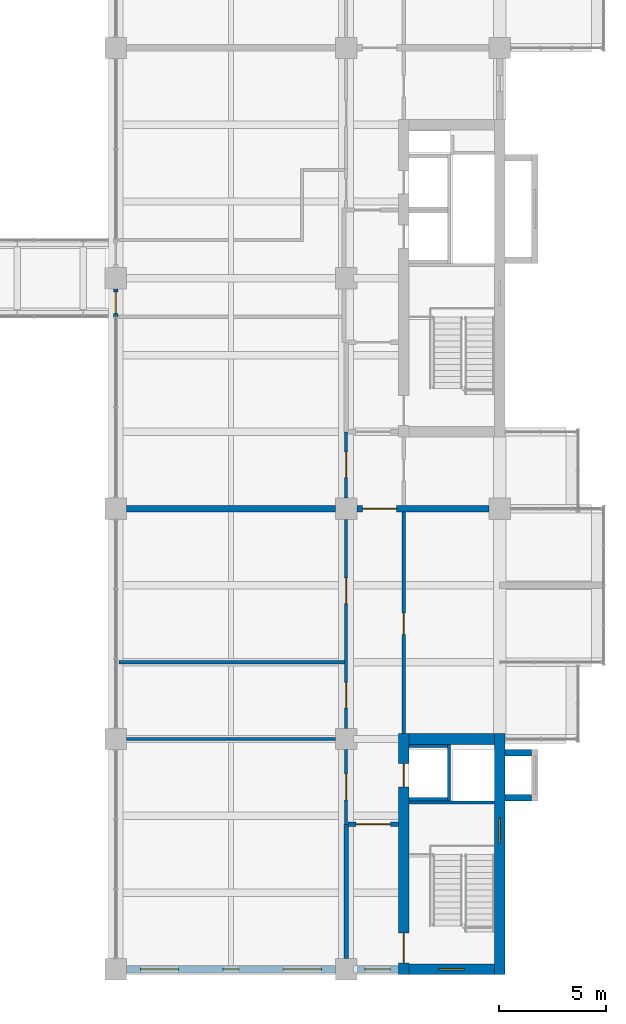
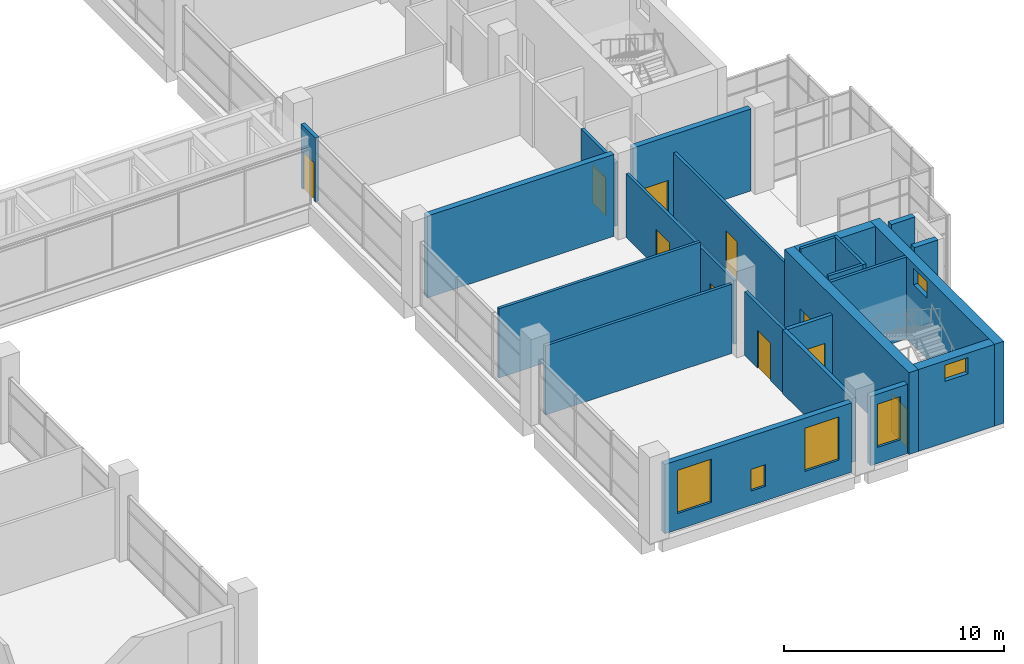
# One storey, part 27 of 35: 23 walls, 10 doors, 6 windows, 16 openings.
"""IFC4 building model written with IfcOpenShell, lengths in metres."""

from ifc_helpers import new_model, si_unit, direction, frame, frame_2d, origin, place, context, subcontext, project, spatial, rectangle, extrude, material, layer, layer_set, type_object, element, fill, save


model = new_model("IFC4")

# Units and contexts
model_context = context("Model", 3, precision=1e-05, world=origin(), true_north=direction((0.0, 1.0)))
body_context = subcontext(model_context, "Body", "Model", "MODEL_VIEW")
ifc_project = project(units=[si_unit("LENGTHUNIT", "METRE"), si_unit("AREAUNIT", "SQUARE_METRE"), si_unit("VOLUMEUNIT", "CUBIC_METRE"), si_unit("PLANEANGLEUNIT", "RADIAN"), si_unit("MASSUNIT", "GRAM", prefix="KILO")], contexts=[model_context])

# Site, building, storey
site_placement = place(None, origin())
site = spatial("IfcSite", under=ifc_project, at=site_placement, CompositionType="ELEMENT")
building_placement = place(site_placement, origin())
building = spatial("IfcBuilding", under=site, at=building_placement, Name="Basin Gate Institute", CompositionType="ELEMENT")
storey_placement = place(building_placement, frame((0.0, 0.0, 31.800048828125)))
storey = spatial("IfcBuildingStorey", under=building, at=storey_placement, Name="L06", CompositionType="ELEMENT", Elevation=31.800048828125)

# Wall, opening, door
ifc_material_1 = material(Name="Steel stud wall with gypsum board lining", Category="steel")
ifc_layer_1 = layer(ifc_material_1, 0.199951171875)
ifc_layer_set_1 = layer_set([ifc_layer_1], Name="Steel stud wall with gypsum board lining")
wall_type_1 = type_object("IfcWallType", Name="Bridge end wall W82 EI 60", PredefinedType="SOLIDWALL", material=ifc_layer_set_1)
wall_1_placement = place(storey_placement, frame((100.800048828125, 65.699951171875, 0.0), z_axis=(0.0, 0.0, 1.0), x_axis=(0.0, 1.0, 0.0)))
wall_1 = element("IfcWall", 1, at=wall_1_placement, inside=storey, type_object=wall_type_1, material=ifc_layer_set_1, Name="Bridge end wall R120 L06 E1", PredefinedType="SOLIDWALL", context=body_context, shape_type="SweptSolid", body=[
    extrude(rectangle(XDim=1.300048828125, YDim=0.199951171875, at=frame_2d((0.64990234375, 0.0))), origin(), (0.0, 0.0, 1.0), 3.550048828125),
])
opening_1_placement = place(wall_1_placement, frame((0.14990234375, 0.0, 0.0)))
opening_1 = element("IfcOpeningElement", 2, at=opening_1_placement, cuts=wall_1, Name="Opening D831", PredefinedType="OPENING", context=body_context, shape_type="SweptSolid", body=[
    extrude(rectangle(XDim=1.0, YDim=2.10009765625, at=frame_2d((0.5, 1.050048828125))), frame((0.0, 0.10986328125, 0.0), z_axis=(0.0, -1.0, 0.0), x_axis=(1.0, 0.0, 0.0)), (0.0, 0.0, 1.0), 0.219970703125),
])
ifc_material_2 = material(Name="Steel fire door leaf", Category="steel")
door_type_1 = type_object("IfcDoorType", Name="FD60 door 1000 bridge", OperationType="NOTDEFINED", PredefinedType="DOOR", material=ifc_material_2)
door_1_placement = place(opening_1_placement, frame((1.0, 0.0, 0.0), z_axis=(0.0, 0.0, 1.0), x_axis=(-1.0, 0.0, 0.0)))
door_1 = element("IfcDoor", 3, at=door_1_placement, inside=storey, type_object=door_type_1, material=ifc_material_2, Name="Bridge door L06 E1", OperationType="SINGLE_SWING_RIGHT", OverallHeight=2.10009765625, OverallWidth=1.0, PredefinedType="DOOR", context=body_context, shape_type="SweptSolid", body=[
    extrude(rectangle(XDim=1.0, YDim=2.10009765625, at=frame_2d((0.5, 1.050048828125))), frame((0.0, 0.02490234375, 0.0), z_axis=(0.0, -1.0, 0.0), x_axis=(1.0, 0.0, 0.0)), (0.0, 0.0, 1.0), 0.050048828125),
])
fill(opening_1, door_1)

ifc_material_3 = material(Name="Fire-rated masonry", Category="masonry")
ifc_layer_2 = layer(ifc_material_3, 0.199951171875)
ifc_layer_set_2 = layer_set([ifc_layer_2], Name="Enclosure wall PW2 200 EI 60")
wall_type_2 = type_object("IfcWallType", Name="Enclosure wall PW2 200 EI 60", PredefinedType="PARTITIONING", material=ifc_layer_set_2)
wall_2_placement = place(storey_placement, frame((114.050048828125, 41.89990234375, 0.0), z_axis=(0.0, 0.0, 1.0), x_axis=(-1.0, 0.0, 0.0)))
wall_2 = element("IfcWall", 4, at=wall_2_placement, inside=storey, type_object=wall_type_2, material=ifc_layer_set_2, Name="Smoke lobby enclosure wall PW2 L06", PredefinedType="PARTITIONING", context=body_context, shape_type="SweptSolid", body=[
    extrude(rectangle(XDim=2.35009765625, YDim=0.199951171875, at=frame_2d((1.175048828125, 0.0))), origin(), (0.0, 0.0, 1.0), 3.550048828125),
])
opening_2_placement = place(wall_2_placement, frame((0.375, 0.0, 0.0)))
opening_2 = element("IfcOpeningElement", 5, at=opening_2_placement, cuts=wall_2, Name="Opening DR296", PredefinedType="OPENING", context=body_context, shape_type="SweptSolid", body=[
    extrude(rectangle(XDim=1.60009765625, YDim=2.10009765625, at=frame_2d((0.800048828125, 1.050048828125))), frame((0.0, 0.10986328125, 0.0), z_axis=(0.0, -1.0, 0.0), x_axis=(1.0, 0.0, 0.0)), (0.0, 0.0, 1.0), 0.219970703125),
])
ifc_material_4 = material(Name="Steel fire door", Category="steel")
door_type_2 = type_object("IfcDoorType", Name="FD60 Smoke lobby door pair D8", OperationType="DOUBLE_DOOR_SINGLE_SWING", PredefinedType="DOOR", material=ifc_material_4)
door_2_placement = place(opening_2_placement, origin())
door_2 = element("IfcDoor", 6, at=door_2_placement, inside=storey, type_object=door_type_2, material=ifc_material_4, Name="Smoke lobby door SS4 L06", OperationType="DOUBLE_DOOR_SINGLE_SWING", OverallHeight=2.10009765625, OverallWidth=1.60009765625, PredefinedType="DOOR", context=body_context, shape_type="SweptSolid", body=[
    extrude(rectangle(XDim=1.60009765625, YDim=2.10009765625, at=frame_2d((0.800048828125, 1.050048828125))), frame((0.0, 0.02490234375, 0.0), z_axis=(0.0, -1.0, 0.0), x_axis=(1.0, 0.0, 0.0)), (0.0, 0.0, 1.0), 0.050048828125),
])
fill(opening_2, door_2)

# Wall
wall_3_placement = place(storey_placement, frame((111.60009765625, 35.60009765625, 0.0), z_axis=(0.0, 0.0, 1.0), x_axis=(0.0, 1.0, 0.0)))
element("IfcWall", 7, at=wall_3_placement, inside=storey, type_object=wall_type_2, material=ifc_layer_set_2, Name="Smoke lobby enclosure wall PW2 L06", PredefinedType="PARTITIONING", context=body_context, shape_type="SweptSolid", body=[
    extrude(rectangle(XDim=6.2998046875, YDim=0.199951171875, at=frame_2d((3.14990234375, 0.0))), origin(), (0.0, 0.0, 1.0), 3.550048828125),
])

# Wall, opening, window
ifc_material_5 = material(Name="Aluminium-faced insulated panel wall", Category="aluminium")
ifc_layer_3 = layer(ifc_material_5, 0.300048828125)
ifc_layer_set_3 = layer_set([ifc_layer_3], Name="External wall EW1 EI 120")
wall_type_3 = type_object("IfcWallType", Name="External wall EW1 EI 120", PredefinedType="STANDARD", material=ifc_layer_set_3)
wall_4_placement = place(storey_placement, frame((114.050048828125, 35.10009765625, 0.0), z_axis=(0.0, 0.0, 1.0), x_axis=(-1.0, 0.0, 0.0)))
wall_4 = element("IfcWall", 8, at=wall_4_placement, inside=storey, type_object=wall_type_3, material=ifc_layer_set_3, Name="External end wall E wing south L06 1", PredefinedType="STANDARD", context=body_context, shape_type="SweptSolid", body=[
    extrude(rectangle(XDim=1.949951171875, YDim=0.300048828125, at=frame_2d((0.97509765625, 0.0))), origin(), (0.0, 0.0, 1.0), 3.849853515625),
])
opening_3_placement = place(wall_4_placement, frame((0.375, 0.0, 0.89990234375)))
opening_3 = element("IfcOpeningElement", 9, at=opening_3_placement, cuts=wall_4, Name="Opening WN4", PredefinedType="OPENING", context=body_context, shape_type="SweptSolid", body=[
    extrude(rectangle(XDim=1.199951171875, YDim=2.39990234375, at=frame_2d((0.60009765625, 1.199951171875))), frame((0.0, 0.16015625, 0.0), z_axis=(0.0, -1.0, 0.0), x_axis=(1.0, 0.0, 0.0)), (0.0, 0.0, 1.0), 0.320068359375),
])
ifc_material_6 = material(Name="Aluminium-framed double glazing", Category="aluminium")
window_type_1 = type_object("IfcWindowType", Name="Corridor end window WN4", PartitioningType="SINGLE_PANEL", PredefinedType="WINDOW", material=ifc_material_6)
window_1_placement = place(opening_3_placement, origin())
window_1 = element("IfcWindow", 10, at=window_1_placement, inside=storey, type_object=window_type_1, material=ifc_material_6, Name="Corridor end window E wing S L06", OverallHeight=2.39990234375, OverallWidth=1.199951171875, PartitioningType="SINGLE_PANEL", PredefinedType="WINDOW", context=body_context, shape_type="SweptSolid", body=[
    extrude(rectangle(XDim=1.199951171875, YDim=2.39990234375, at=frame_2d((0.60009765625, 1.199951171875))), frame((0.0, 0.030029296875, 0.0), z_axis=(0.0, -1.0, 0.0), x_axis=(1.0, 0.0, 0.0)), (0.0, 0.0, 1.0), 0.06005859375),
])
fill(opening_3, window_1)

# Wall, openings, windows
wall_5_placement = place(storey_placement, frame((111.10009765625, 35.10009765625, 0.0), z_axis=(0.0, 0.0, 1.0), x_axis=(-1.0, 0.0, 0.0)))
wall_5 = element("IfcWall", 11, at=wall_5_placement, inside=storey, type_object=wall_type_3, material=ifc_layer_set_3, Name="External end wall E wing south L06 2", PredefinedType="STANDARD", context=body_context, shape_type="SweptSolid", body=[
    extrude(rectangle(XDim=9.800048828125, YDim=0.300048828125, at=frame_2d((4.89990234375, 0.0))), origin(), (0.0, 0.0, 1.0), 3.849853515625),
])
opening_4_placement = place(wall_5_placement, frame((0.64990234375, 0.0, 0.89990234375)))
opening_4 = element("IfcOpeningElement", 12, at=opening_4_placement, cuts=wall_5, Name="Opening WN1", PredefinedType="OPENING", context=body_context, shape_type="SweptSolid", body=[
    extrude(rectangle(XDim=1.800048828125, YDim=2.39990234375, at=frame_2d((0.89990234375, 1.199951171875))), frame((0.0, 0.16015625, 0.0), z_axis=(0.0, -1.0, 0.0), x_axis=(1.0, 0.0, 0.0)), (0.0, 0.0, 1.0), 0.320068359375),
])
opening_5_placement = place(wall_5_placement, frame((4.52490234375, 0.0, 0.800048828125)))
opening_5 = element("IfcOpeningElement", 13, at=opening_5_placement, cuts=wall_5, Name="Opening WN3", PredefinedType="OPENING", context=body_context, shape_type="SweptSolid", body=[
    extrude(rectangle(XDim=0.75, YDim=1.199951171875, at=frame_2d((0.375, 0.60009765625))), frame((0.0, 0.16015625, 0.0), z_axis=(0.0, -1.0, 0.0), x_axis=(1.0, 0.0, 0.0)), (0.0, 0.0, 1.0), 0.320068359375),
])
opening_6_placement = place(wall_5_placement, frame((7.35009765625, 0.0, 0.89990234375)))
opening_6 = element("IfcOpeningElement", 14, at=opening_6_placement, cuts=wall_5, Name="Opening WN1", PredefinedType="OPENING", context=body_context, shape_type="SweptSolid", body=[
    extrude(rectangle(XDim=1.800048828125, YDim=2.39990234375, at=frame_2d((0.89990234375, 1.199951171875))), frame((0.0, 0.16015625, 0.0), z_axis=(0.0, -1.0, 0.0), x_axis=(1.0, 0.0, 0.0)), (0.0, 0.0, 1.0), 0.320068359375),
])
ifc_material_7 = material(Name="Aluminium-framed double glazing", Category="aluminium")
window_type_2 = type_object("IfcWindowType", Name="Emergency entry panel WN3", PartitioningType="SINGLE_PANEL", PredefinedType="WINDOW", material=ifc_material_7)
window_2_placement = place(opening_5_placement, origin())
window_2 = element("IfcWindow", 15, at=window_2_placement, inside=storey, type_object=window_type_2, material=ifc_material_7, Name="Emergency entry panel E wing end S L06 bay 2", OverallHeight=1.199951171875, OverallWidth=0.75, PartitioningType="SINGLE_PANEL", PredefinedType="WINDOW", context=body_context, shape_type="SweptSolid", body=[
    extrude(rectangle(XDim=0.75, YDim=1.199951171875, at=frame_2d((0.375, 0.60009765625))), frame((0.0, 0.030029296875, 0.0), z_axis=(0.0, -1.0, 0.0), x_axis=(1.0, 0.0, 0.0)), (0.0, 0.0, 1.0), 0.06005859375),
])
fill(opening_5, window_2)
ifc_material_8 = material(Name="Aluminium-framed double glazing", Category="aluminium")
window_type_3 = type_object("IfcWindowType", Name="Facade window WN1", PartitioningType="SINGLE_PANEL", PredefinedType="WINDOW", material=ifc_material_8)
window_3_placement = place(opening_4_placement, origin())
window_3 = element("IfcWindow", 16, at=window_3_placement, inside=storey, type_object=window_type_3, material=ifc_material_8, Name="Facade window E wing end S L06 bay 1", OverallHeight=2.39990234375, OverallWidth=1.800048828125, PartitioningType="SINGLE_PANEL", PredefinedType="WINDOW", context=body_context, shape_type="SweptSolid", body=[
    extrude(rectangle(XDim=1.800048828125, YDim=2.39990234375, at=frame_2d((0.89990234375, 1.199951171875))), frame((0.0, 0.030029296875, 0.0), z_axis=(0.0, -1.0, 0.0), x_axis=(1.0, 0.0, 0.0)), (0.0, 0.0, 1.0), 0.06005859375),
])
fill(opening_4, window_3)
window_4_placement = place(opening_6_placement, origin())
window_4 = element("IfcWindow", 17, at=window_4_placement, inside=storey, type_object=window_type_3, material=ifc_material_8, Name="Facade window E wing end S L06 bay 3", OverallHeight=2.39990234375, OverallWidth=1.800048828125, PartitioningType="SINGLE_PANEL", PredefinedType="WINDOW", context=body_context, shape_type="SweptSolid", body=[
    extrude(rectangle(XDim=1.800048828125, YDim=2.39990234375, at=frame_2d((0.89990234375, 1.199951171875))), frame((0.0, 0.030029296875, 0.0), z_axis=(0.0, -1.0, 0.0), x_axis=(1.0, 0.0, 0.0)), (0.0, 0.0, 1.0), 0.06005859375),
])
fill(opening_6, window_4)

# Wall, opening, door
ifc_material_9 = material(Name="Gypsum board on steel stud", Category="steel")
ifc_layer_4 = layer(ifc_material_9, 0.14990234375)
ifc_layer_set_4 = layer_set([ifc_layer_4], Name="Gypsum board on steel stud")
wall_type_4 = type_object("IfcWallType", Name="Partition PW1 150 EI 60", PredefinedType="PARTITIONING", material=ifc_layer_set_4)
wall_6_placement = place(storey_placement, frame((114.300048828125, 46.14990234375, 0.0), z_axis=(0.0, 0.0, 1.0), x_axis=(0.0, 1.0, 0.0)))
wall_6 = element("IfcWall", 18, at=wall_6_placement, inside=storey, type_object=wall_type_4, material=ifc_layer_set_4, Name="Corridor wall PW1 L06", PredefinedType="PARTITIONING", context=body_context, shape_type="SweptSolid", body=[
    extrude(rectangle(XDim=10.400146484375, YDim=0.14990234375, at=frame_2d((5.2001953125, 0.0))), origin(), (0.0, 0.0, 1.0), 3.550048828125),
])
opening_7_placement = place(wall_6_placement, frame((4.64990234375, 0.0, 0.0)))
opening_7 = element("IfcOpeningElement", 19, at=opening_7_placement, cuts=wall_6, Name="Opening DR283", PredefinedType="OPENING", context=body_context, shape_type="SweptSolid", body=[
    extrude(rectangle(XDim=1.0, YDim=2.10009765625, at=frame_2d((0.5, 1.050048828125))), frame((0.0, 0.0849609375, 0.0), z_axis=(0.0, -1.0, 0.0), x_axis=(1.0, 0.0, 0.0)), (0.0, 0.0, 1.0), 0.169921875),
])
ifc_material_10 = material(Name="Timber fire door", Category="wood")
door_type_3 = type_object("IfcDoorType", Name="FD30 Office door D1", OperationType="NOTDEFINED", PredefinedType="DOOR", material=ifc_material_10)
door_3_placement = place(opening_7_placement, frame((1.0, 0.0, 0.0), z_axis=(0.0, 0.0, 1.0), x_axis=(-1.0, 0.0, 0.0)))
door_3 = element("IfcDoor", 20, at=door_3_placement, inside=storey, type_object=door_type_3, material=ifc_material_10, Name="Door to Library Carrel Room 0651 L06", OperationType="SINGLE_SWING_RIGHT", OverallHeight=2.10009765625, OverallWidth=1.0, PredefinedType="DOOR", context=body_context, shape_type="SweptSolid", body=[
    extrude(rectangle(XDim=1.0, YDim=2.10009765625, at=frame_2d((0.5, 1.050048828125))), frame((0.0, 0.02490234375, 0.0), z_axis=(0.0, -1.0, 0.0), x_axis=(1.0, 0.0, 0.0)), (0.0, 0.0, 1.0), 0.050048828125),
])
fill(opening_7, door_3)

wall_7_placement = place(storey_placement, frame((111.60009765625, 41.89990234375, 0.0), z_axis=(0.0, 0.0, 1.0), x_axis=(0.0, 1.0, 0.0)))
wall_7 = element("IfcWall", 21, at=wall_7_placement, inside=storey, type_object=wall_type_4, material=ifc_layer_set_4, Name="Laboratory corridor wall PW1 L06", PredefinedType="PARTITIONING", context=body_context, shape_type="SweptSolid", body=[
    extrude(rectangle(XDim=3.5, YDim=0.14990234375, at=frame_2d((1.75, 0.0))), origin(), (0.0, 0.0, 1.0), 3.550048828125),
])
opening_8_placement = place(wall_7_placement, frame((1.14990234375, 0.0, 0.0)))
opening_8 = element("IfcOpeningElement", 22, at=opening_8_placement, cuts=wall_7, Name="Opening DR287", PredefinedType="OPENING", context=body_context, shape_type="SweptSolid", body=[
    extrude(rectangle(XDim=1.199951171875, YDim=2.10009765625, at=frame_2d((0.60009765625, 1.050048828125))), frame((0.0, 0.0849609375, 0.0), z_axis=(0.0, -1.0, 0.0), x_axis=(1.0, 0.0, 0.0)), (0.0, 0.0, 1.0), 0.169921875),
])
ifc_material_11 = material(Name="Timber fire door", Category="wood")
door_type_4 = type_object("IfcDoorType", Name="FD30 Laboratory door D2", OperationType="DOUBLE_DOOR_SINGLE_SWING", PredefinedType="DOOR", material=ifc_material_11)
door_4_placement = place(opening_8_placement, origin())
door_4 = element("IfcDoor", 23, at=door_4_placement, inside=storey, type_object=door_type_4, material=ifc_material_11, Name="Door to Write-up Office 0664 L06", OperationType="DOUBLE_DOOR_SINGLE_SWING", OverallHeight=2.10009765625, OverallWidth=1.199951171875, PredefinedType="DOOR", context=body_context, shape_type="SweptSolid", body=[
    extrude(rectangle(XDim=1.199951171875, YDim=2.10009765625, at=frame_2d((0.60009765625, 1.050048828125))), frame((0.0, 0.02490234375, 0.0), z_axis=(0.0, -1.0, 0.0), x_axis=(1.0, 0.0, 0.0)), (0.0, 0.0, 1.0), 0.050048828125),
])
fill(opening_8, door_4)

# Wall, openings, doors
wall_8_placement = place(storey_placement, frame((111.60009765625, 46.39990234375, 0.0), z_axis=(0.0, 0.0, 1.0), x_axis=(0.0, 1.0, 0.0)))
wall_8 = element("IfcWall", 24, at=wall_8_placement, inside=storey, type_object=wall_type_4, material=ifc_layer_set_4, Name="Laboratory corridor wall PW1 L06", PredefinedType="PARTITIONING", context=body_context, shape_type="SweptSolid", body=[
    extrude(rectangle(XDim=9.800048828125, YDim=0.14990234375, at=frame_2d((4.89990234375, 0.0))), origin(), (0.0, 0.0, 1.0), 3.550048828125),
])
opening_9_placement = place(wall_8_placement, frame((0.949951171875, 0.0, 0.0)))
opening_9 = element("IfcOpeningElement", 25, at=opening_9_placement, cuts=wall_8, Name="Opening DR288", PredefinedType="OPENING", context=body_context, shape_type="SweptSolid", body=[
    extrude(rectangle(XDim=1.199951171875, YDim=2.10009765625, at=frame_2d((0.60009765625, 1.050048828125))), frame((0.0, 0.0849609375, 0.0), z_axis=(0.0, -1.0, 0.0), x_axis=(1.0, 0.0, 0.0)), (0.0, 0.0, 1.0), 0.169921875),
])
opening_10_placement = place(wall_8_placement, frame((5.85009765625, 0.0, 0.0)))
opening_10 = element("IfcOpeningElement", 26, at=opening_10_placement, cuts=wall_8, Name="Opening DR289", PredefinedType="OPENING", context=body_context, shape_type="SweptSolid", body=[
    extrude(rectangle(XDim=1.199951171875, YDim=2.10009765625, at=frame_2d((0.60009765625, 1.050048828125))), frame((0.0, 0.0849609375, 0.0), z_axis=(0.0, -1.0, 0.0), x_axis=(1.0, 0.0, 0.0)), (0.0, 0.0, 1.0), 0.169921875),
])
door_5_placement = place(opening_9_placement, origin())
door_5 = element("IfcDoor", 27, at=door_5_placement, inside=storey, type_object=door_type_4, material=ifc_material_11, Name="Door to Write-up Office 0665 L06", OperationType="DOUBLE_DOOR_SINGLE_SWING", OverallHeight=2.10009765625, OverallWidth=1.199951171875, PredefinedType="DOOR", context=body_context, shape_type="SweptSolid", body=[
    extrude(rectangle(XDim=1.199951171875, YDim=2.10009765625, at=frame_2d((0.60009765625, 1.050048828125))), frame((0.0, 0.02490234375, 0.0), z_axis=(0.0, -1.0, 0.0), x_axis=(1.0, 0.0, 0.0)), (0.0, 0.0, 1.0), 0.050048828125),
])
fill(opening_9, door_5)
door_6_placement = place(opening_10_placement, origin())
door_6 = element("IfcDoor", 28, at=door_6_placement, inside=storey, type_object=door_type_4, material=ifc_material_11, Name="Door to Write-up Office 0666 L06", OperationType="DOUBLE_DOOR_SINGLE_SWING", OverallHeight=2.10009765625, OverallWidth=1.199951171875, PredefinedType="DOOR", context=body_context, shape_type="SweptSolid", body=[
    extrude(rectangle(XDim=1.199951171875, YDim=2.10009765625, at=frame_2d((0.60009765625, 1.050048828125))), frame((0.0, 0.02490234375, 0.0), z_axis=(0.0, -1.0, 0.0), x_axis=(1.0, 0.0, 0.0)), (0.0, 0.0, 1.0), 0.050048828125),
])
fill(opening_10, door_6)

# Wall, opening, door
wall_9_placement = place(storey_placement, frame((111.60009765625, 57.199951171875, 0.0), z_axis=(0.0, 0.0, 1.0), x_axis=(0.0, 1.0, 0.0)))
wall_9 = element("IfcWall", 29, at=wall_9_placement, inside=storey, type_object=wall_type_4, material=ifc_layer_set_4, Name="Laboratory corridor wall PW1 L06", PredefinedType="PARTITIONING", context=body_context, shape_type="SweptSolid", body=[
    extrude(rectangle(XDim=3.10009765625, YDim=0.14990234375, at=frame_2d((1.550048828125, 0.0))), origin(), (0.0, 0.0, 1.0), 3.550048828125),
])
opening_11_placement = place(wall_9_placement, frame((0.949951171875, 0.0, 0.0)))
opening_11 = element("IfcOpeningElement", 30, at=opening_11_placement, cuts=wall_9, Name="Opening DR290", PredefinedType="OPENING", context=body_context, shape_type="SweptSolid", body=[
    extrude(rectangle(XDim=1.199951171875, YDim=2.10009765625, at=frame_2d((0.60009765625, 1.050048828125))), frame((0.0, 0.0849609375, 0.0), z_axis=(0.0, -1.0, 0.0), x_axis=(1.0, 0.0, 0.0)), (0.0, 0.0, 1.0), 0.169921875),
])
door_7_placement = place(opening_11_placement, origin())
door_7 = element("IfcDoor", 31, at=door_7_placement, inside=storey, type_object=door_type_4, material=ifc_material_11, Name="Door to Write-up Office 0667 L06", OperationType="DOUBLE_DOOR_SINGLE_SWING", OverallHeight=2.10009765625, OverallWidth=1.199951171875, PredefinedType="DOOR", context=body_context, shape_type="SweptSolid", body=[
    extrude(rectangle(XDim=1.199951171875, YDim=2.10009765625, at=frame_2d((0.60009765625, 1.050048828125))), frame((0.0, 0.02490234375, 0.0), z_axis=(0.0, -1.0, 0.0), x_axis=(1.0, 0.0, 0.0)), (0.0, 0.0, 1.0), 0.050048828125),
])
fill(opening_11, door_7)

# Walls
wall_10_placement = place(storey_placement, frame((111.10009765625, 45.89990234375, 0.0), z_axis=(0.0, 0.0, 1.0), x_axis=(-1.0, 0.0, 0.0)))
element("IfcWall", 32, at=wall_10_placement, inside=storey, type_object=wall_type_4, material=ifc_layer_set_4, Name="Laboratory partition PW1 L06", PredefinedType="PARTITIONING", context=body_context, shape_type="SweptSolid", body=[
    extrude(rectangle(XDim=9.800048828125, YDim=0.14990234375, at=frame_2d((4.89990234375, 0.0))), origin(), (0.0, 0.0, 1.0), 3.849853515625),
])
wall_11_placement = place(storey_placement, frame((111.52490234375, 49.5, 0.0), z_axis=(0.0, 0.0, 1.0), x_axis=(-1.0, 0.0, 0.0)))
element("IfcWall", 33, at=wall_11_placement, inside=storey, type_object=wall_type_4, material=ifc_layer_set_4, Name="Laboratory partition PW1 L06", PredefinedType="PARTITIONING", context=body_context, shape_type="SweptSolid", body=[
    extrude(rectangle(XDim=10.574951171875, YDim=0.14990234375, at=frame_2d((5.28759765625, 0.0))), origin(), (0.0, 0.0, 1.0), 3.849853515625),
])
ifc_material_12 = material(Name="Concrete 40 MPa", Category="concrete")
ifc_layer_5 = layer(ifc_material_12, 0.14990234375)
ifc_layer_set_5 = layer_set([ifc_layer_5], Name="Concrete 40 MPa")
wall_type_5 = type_object("IfcWallType", Name="Wall LS1 lift shaft enclosure R120", PredefinedType="SOLIDWALL", material=ifc_layer_set_5)
wall_12_placement = place(storey_placement, frame((116.425048828125, 43.0, 0.0), z_axis=(0.0, 0.0, 1.0), x_axis=(0.0, 1.0, 0.0)))
element("IfcWall", 34, at=wall_12_placement, inside=storey, type_object=wall_type_5, material=ifc_layer_set_5, Name="Lift shaft enclosure LP4 L06 UL", PredefinedType="SOLIDWALL", context=body_context, shape_type="SweptSolid", body=[
    extrude(rectangle(XDim=2.64990234375, YDim=0.14990234375, at=frame_2d((1.324951171875, 0.0))), origin(), (0.0, 0.0, 1.0), 4.800048828125),
])
for number, where, z_axis, x_axis, name in (
    (35, (116.35009765625, 43.074951171875, 0.0), (0.0, 0.0, 1.0), (-1.0, 0.0, 0.0), "Lift shaft enclosure LP4 L06 RL"),
    (36, (116.35009765625, 45.574951171875, 0.0), (0.0, 0.0, 1.0), (-1.0, 0.0, 0.0), "Lift shaft enclosure LP4 L06 RH"),
):
    element("IfcWall", number, at=place(storey_placement, frame(where, z_axis=z_axis, x_axis=x_axis)), inside=storey, type_object=wall_type_5, material=ifc_layer_set_5, Name=name, PredefinedType="SOLIDWALL", context=body_context, shape_type="SweptSolid", body=[
        extrude(rectangle(XDim=1.800048828125, YDim=0.14990234375, at=frame_2d((0.89990234375, 0.0))), origin(), (0.0, 0.0, 1.0), 4.800048828125),
    ])
ifc_material_13 = material(Name="Concrete 40 MPa", Category="concrete")
ifc_layer_6 = layer(ifc_material_13, 0.14990234375)
ifc_layer_set_6 = layer_set([ifc_layer_6], Name="Concrete 40 MPa")
wall_type_6 = type_object("IfcWallType", Name="Wall SE1 stair enclosure R120", PredefinedType="SOLIDWALL", material=ifc_layer_set_6)
wall_13_placement = place(storey_placement, frame((118.550048828125, 42.925048828125, 0.0), z_axis=(0.0, 0.0, 1.0), x_axis=(-1.0, 0.0, 0.0)))
element("IfcWall", 37, at=wall_13_placement, inside=storey, type_object=wall_type_6, material=ifc_layer_set_6, Name="Stair enclosure wall ST-ES L06", PredefinedType="SOLIDWALL", context=body_context, shape_type="SweptSolid", body=[
    extrude(rectangle(XDim=4.0, YDim=0.14990234375, at=frame_2d((2.0, 0.0))), origin(), (0.0, 0.0, 1.0), 4.550048828125),
])
ifc_material_14 = material(Name="Concrete 50 MPa", Category="concrete")
ifc_layer_7 = layer(ifc_material_14, 0.300048828125)
ifc_layer_set_7 = layer_set([ifc_layer_7], Name="Concrete 50 MPa")
wall_type_7 = type_object("IfcWallType", Name="Wall SK1 R120", PredefinedType="SHEAR", material=ifc_layer_set_7)
for number, where, z_axis, x_axis, name in (
    (38, (119.050048828125, 43.14990234375, 0.0), (0.0, 0.0, 1.0), (1.0, 0.0, 0.0), "Spine riser stack wall SK1 ES A L06"),
    (39, (119.050048828125, 45.25, 0.0), (0.0, 0.0, 1.0), (1.0, 0.0, 0.0), "Spine riser stack wall SK1 ES B L06"),
):
    element("IfcWall", number, at=place(storey_placement, frame(where, z_axis=z_axis, x_axis=x_axis)), inside=storey, type_object=wall_type_7, material=ifc_layer_set_7, Name=name, PredefinedType="SHEAR", context=body_context, shape_type="SweptSolid", body=[
        extrude(rectangle(XDim=1.25, YDim=0.300048828125, at=frame_2d((0.625, 0.0))), origin(), (0.0, 0.0, 1.0), 4.800048828125),
    ])

# Wall, opening, window
ifc_material_15 = material(Name="Concrete 60 MPa", Category="concrete")
ifc_layer_8 = layer(ifc_material_15, 0.5)
ifc_layer_set_8 = layer_set([ifc_layer_8], Name="Concrete 60 MPa")
wall_type_8 = type_object("IfcWallType", Name="Wall SW1 R120", PredefinedType="SHEAR", material=ifc_layer_set_8)
wall_14_placement = place(storey_placement, frame((118.800048828125, 34.85009765625, 0.0), z_axis=(0.0, 0.0, 1.0), x_axis=(0.0, 1.0, 0.0)))
wall_14 = element("IfcWall", 40, at=wall_14_placement, inside=storey, type_object=wall_type_8, material=ifc_layer_set_8, Name="WALL/L06/ES/L", PredefinedType="SHEAR", context=body_context, shape_type="SweptSolid", body=[
    extrude(rectangle(XDim=11.2998046875, YDim=0.5, at=frame_2d((5.64990234375, 0.0))), origin(), (0.0, 0.0, 1.0), 4.550048828125),
])
opening_12_placement = place(wall_14_placement, frame((6.159912109375, 0.0, 3.39990234375)))
opening_12 = element("IfcOpeningElement", 41, at=opening_12_placement, cuts=wall_14, Name="Opening WT2", PredefinedType="OPENING", context=body_context, shape_type="SweptSolid", body=[
    extrude(rectangle(XDim=1.199951171875, YDim=0.89990234375, at=frame_2d((0.60009765625, 0.449951171875))), frame((0.0, 0.260009765625, 0.0), z_axis=(0.0, -1.0, 0.0), x_axis=(1.0, 0.0, 0.0)), (0.0, 0.0, 1.0), 0.52001953125),
])
ifc_material_16 = material(Name="Fire-resistant glazing in steel-free frame", Category="steel")
window_type_4 = type_object("IfcWindowType", Name="Rated stair window EI 120 WT2", PartitioningType="SINGLE_PANEL", PredefinedType="WINDOW", material=ifc_material_16)
window_5_placement = place(opening_12_placement, origin())
window_5 = element("IfcWindow", 42, at=window_5_placement, inside=storey, type_object=window_type_4, material=ifc_material_16, Name="Rated stair window EI 120 ES landing L06", OverallHeight=0.89990234375, OverallWidth=1.199951171875, PartitioningType="SINGLE_PANEL", PredefinedType="WINDOW", context=body_context, shape_type="SweptSolid", body=[
    extrude(rectangle(XDim=1.199951171875, YDim=0.89990234375, at=frame_2d((0.60009765625, 0.449951171875))), frame((0.0, 0.030029296875, 0.0), z_axis=(0.0, -1.0, 0.0), x_axis=(1.0, 0.0, 0.0)), (0.0, 0.0, 1.0), 0.06005859375),
])
fill(opening_12, window_5)

# Wall, openings, doors
wall_15_placement = place(storey_placement, frame((114.300048828125, 34.85009765625, 0.0), z_axis=(0.0, 0.0, 1.0), x_axis=(0.0, 1.0, 0.0)))
wall_15 = element("IfcWall", 43, at=wall_15_placement, inside=storey, type_object=wall_type_8, material=ifc_layer_set_8, Name="WALL/L06/ES/C", PredefinedType="SHEAR", context=body_context, shape_type="SweptSolid", body=[
    extrude(rectangle(XDim=11.2998046875, YDim=0.5, at=frame_2d((5.64990234375, 0.0))), origin(), (0.0, 0.0, 1.0), 4.550048828125),
])
opening_13_placement = place(wall_15_placement, frame((0.550048828125, 0.0, 0.0)))
opening_13 = element("IfcOpeningElement", 44, at=opening_13_placement, cuts=wall_15, Name="Opening DS040", PredefinedType="OPENING", context=body_context, shape_type="SweptSolid", body=[
    extrude(rectangle(XDim=1.39990234375, YDim=2.10009765625, at=frame_2d((0.699951171875, 1.050048828125))), frame((0.0, 0.260009765625, 0.0), z_axis=(0.0, -1.0, 0.0), x_axis=(1.0, 0.0, 0.0)), (0.0, 0.0, 1.0), 0.52001953125),
])
opening_14_placement = place(wall_15_placement, frame((8.800048828125, 0.0, 0.0)))
opening_14 = element("IfcOpeningElement", 45, at=opening_14_placement, cuts=wall_15, Name="Opening LD078", PredefinedType="OPENING", context=body_context, shape_type="SweptSolid", body=[
    extrude(rectangle(XDim=1.10009765625, YDim=2.10009765625, at=frame_2d((0.550048828125, 1.050048828125))), frame((0.0, 0.260009765625, 0.0), z_axis=(0.0, -1.0, 0.0), x_axis=(1.0, 0.0, 0.0)), (0.0, 0.0, 1.0), 0.52001953125),
])
ifc_material_17 = material(Name="Steel fire door", Category="steel")
door_type_5 = type_object("IfcDoorType", Name="FD30 Stair enclosure door DS", OperationType="DOUBLE_DOOR_SINGLE_SWING", PredefinedType="DOOR", material=ifc_material_17)
door_8_placement = place(opening_13_placement, frame((1.39990234375, 0.0, 0.0), z_axis=(0.0, 0.0, 1.0), x_axis=(-1.0, 0.0, 0.0)))
door_8 = element("IfcDoor", 46, at=door_8_placement, inside=storey, type_object=door_type_5, material=ifc_material_17, Name="Stair enclosure door ST-ES L06", OperationType="DOUBLE_DOOR_SINGLE_SWING", OverallHeight=2.10009765625, OverallWidth=1.39990234375, PredefinedType="DOOR", context=body_context, shape_type="SweptSolid", body=[
    extrude(rectangle(XDim=1.39990234375, YDim=2.10009765625, at=frame_2d((0.699951171875, 1.050048828125))), frame((0.0, 0.02490234375, 0.0), z_axis=(0.0, -1.0, 0.0), x_axis=(1.0, 0.0, 0.0)), (0.0, 0.0, 1.0), 0.050048828125),
])
fill(opening_13, door_8)
ifc_material_18 = material(Name="Stainless steel", Category="steel")
door_type_6 = type_object("IfcDoorType", Name="FD60 Lift landing door LD", OperationType="SLIDING_TO_LEFT", PredefinedType="DOOR", material=ifc_material_18)
door_9_placement = place(opening_14_placement, origin())
door_9 = element("IfcDoor", 47, at=door_9_placement, inside=storey, type_object=door_type_6, material=ifc_material_18, Name="Lift landing door LP4 L06", OperationType="SLIDING_TO_LEFT", OverallHeight=2.10009765625, OverallWidth=1.10009765625, PredefinedType="DOOR", context=body_context, shape_type="SweptSolid", body=[
    extrude(rectangle(XDim=1.10009765625, YDim=2.10009765625, at=frame_2d((0.550048828125, 1.050048828125))), frame((0.0, 0.02490234375, 0.0), z_axis=(0.0, -1.0, 0.0), x_axis=(1.0, 0.0, 0.0)), (0.0, 0.0, 1.0), 0.050048828125),
])
fill(opening_14, door_9)

# Wall, opening, window
wall_16_placement = place(storey_placement, frame((118.550048828125, 35.10009765625, 0.0), z_axis=(0.0, 0.0, 1.0), x_axis=(-1.0, 0.0, 0.0)))
wall_16 = element("IfcWall", 48, at=wall_16_placement, inside=storey, type_object=wall_type_8, material=ifc_layer_set_8, Name="WALL/L06/ES/S", PredefinedType="SHEAR", context=body_context, shape_type="SweptSolid", body=[
    extrude(rectangle(XDim=4.0, YDim=0.5, at=frame_2d((2.0, 0.0))), origin(), (0.0, 0.0, 1.0), 4.550048828125),
])
opening_15_placement = place(wall_16_placement, frame((1.39990234375, 0.0, 3.39990234375)))
opening_15 = element("IfcOpeningElement", 49, at=opening_15_placement, cuts=wall_16, Name="Opening WT2", PredefinedType="OPENING", context=body_context, shape_type="SweptSolid", body=[
    extrude(rectangle(XDim=1.199951171875, YDim=0.89990234375, at=frame_2d((0.60009765625, 0.449951171875))), frame((0.0, 0.260009765625, 0.0), z_axis=(0.0, -1.0, 0.0), x_axis=(1.0, 0.0, 0.0)), (0.0, 0.0, 1.0), 0.52001953125),
])
window_6_placement = place(opening_15_placement, origin())
window_6 = element("IfcWindow", 50, at=window_6_placement, inside=storey, type_object=window_type_4, material=ifc_material_16, Name="Rated stair window EI 120 ES end L06", OverallHeight=0.89990234375, OverallWidth=1.199951171875, PartitioningType="SINGLE_PANEL", PredefinedType="WINDOW", context=body_context, shape_type="SweptSolid", body=[
    extrude(rectangle(XDim=1.199951171875, YDim=0.89990234375, at=frame_2d((0.60009765625, 0.449951171875))), frame((0.0, 0.030029296875, 0.0), z_axis=(0.0, -1.0, 0.0), x_axis=(1.0, 0.0, 0.0)), (0.0, 0.0, 1.0), 0.06005859375),
])
fill(opening_15, window_6)

# Wall
wall_17_placement = place(storey_placement, frame((118.550048828125, 45.89990234375, 0.0), z_axis=(0.0, 0.0, 1.0), x_axis=(-1.0, 0.0, 0.0)))
element("IfcWall", 51, at=wall_17_placement, inside=storey, type_object=wall_type_8, material=ifc_layer_set_8, Name="WALL/L06/ES/N", PredefinedType="SHEAR", context=body_context, shape_type="SweptSolid", body=[
    extrude(rectangle(XDim=4.0, YDim=0.5, at=frame_2d((2.0, 0.0))), origin(), (0.0, 0.0, 1.0), 4.550048828125),
])

# Wall, opening, door
ifc_material_19 = material(Name="Concrete 50 MPa", Category="concrete")
ifc_layer_9 = layer(ifc_material_19, 0.300048828125)
ifc_layer_set_9 = layer_set([ifc_layer_9], Name="Concrete 50 MPa")
wall_type_9 = type_object("IfcWallType", Name="Wall XW1 R120", PredefinedType="SHEAR", material=ifc_layer_set_9)
wall_18_placement = place(storey_placement, frame((118.300048828125, 56.699951171875, 0.0), z_axis=(0.0, 0.0, 1.0), x_axis=(-1.0, 0.0, 0.0)))
wall_18 = element("IfcWall", 52, at=wall_18_placement, inside=storey, type_object=wall_type_9, material=ifc_layer_set_9, Name="WALL/L06/EXC/1", PredefinedType="SHEAR", context=body_context, shape_type="SweptSolid", body=[
    extrude(rectangle(XDim=6.199951171875, YDim=0.300048828125, at=frame_2d((3.10009765625, 0.0))), origin(), (0.0, 0.0, 1.0), 4.550048828125),
])
opening_16_placement = place(wall_18_placement, frame((4.33740234375, 0.0, 0.0)))
opening_16 = element("IfcOpeningElement", 53, at=opening_16_placement, cuts=wall_18, Name="Opening DR300", PredefinedType="OPENING", context=body_context, shape_type="SweptSolid", body=[
    extrude(rectangle(XDim=1.60009765625, YDim=2.10009765625, at=frame_2d((0.800048828125, 1.050048828125))), frame((0.0, 0.16015625, 0.0), z_axis=(0.0, -1.0, 0.0), x_axis=(1.0, 0.0, 0.0)), (0.0, 0.0, 1.0), 0.320068359375),
])
ifc_material_20 = material(Name="Steel fire door", Category="steel")
door_type_7 = type_object("IfcDoorType", Name="FD60 Compartment door pair D7", OperationType="DOUBLE_DOOR_SINGLE_SWING", PredefinedType="DOOR", material=ifc_material_20)
door_10_placement = place(opening_16_placement, frame((1.60009765625, 0.0, 0.0), z_axis=(0.0, 0.0, 1.0), x_axis=(-1.0, 0.0, 0.0)))
door_10 = element("IfcDoor", 54, at=door_10_placement, inside=storey, type_object=door_type_7, material=ifc_material_20, Name="Compartment door pair L06 E1 L06", OperationType="DOUBLE_DOOR_SINGLE_SWING", OverallHeight=2.10009765625, OverallWidth=1.60009765625, PredefinedType="DOOR", context=body_context, shape_type="SweptSolid", body=[
    extrude(rectangle(XDim=1.60009765625, YDim=2.10009765625, at=frame_2d((0.800048828125, 1.050048828125))), frame((0.0, 0.02490234375, 0.0), z_axis=(0.0, -1.0, 0.0), x_axis=(1.0, 0.0, 0.0)), (0.0, 0.0, 1.0), 0.050048828125),
])
fill(opening_16, door_10)

# Wall
wall_19_placement = place(storey_placement, frame((111.10009765625, 56.699951171875, 0.0), z_axis=(0.0, 0.0, 1.0), x_axis=(-1.0, 0.0, 0.0)))
element("IfcWall", 55, at=wall_19_placement, inside=storey, type_object=wall_type_9, material=ifc_layer_set_9, Name="WALL/L06/EXC/2", PredefinedType="SHEAR", context=body_context, shape_type="SweptSolid", body=[
    extrude(rectangle(XDim=9.800048828125, YDim=0.300048828125, at=frame_2d((4.89990234375, 0.0))), origin(), (0.0, 0.0, 1.0), 4.550048828125),
])

save(model, "model.ifc")
